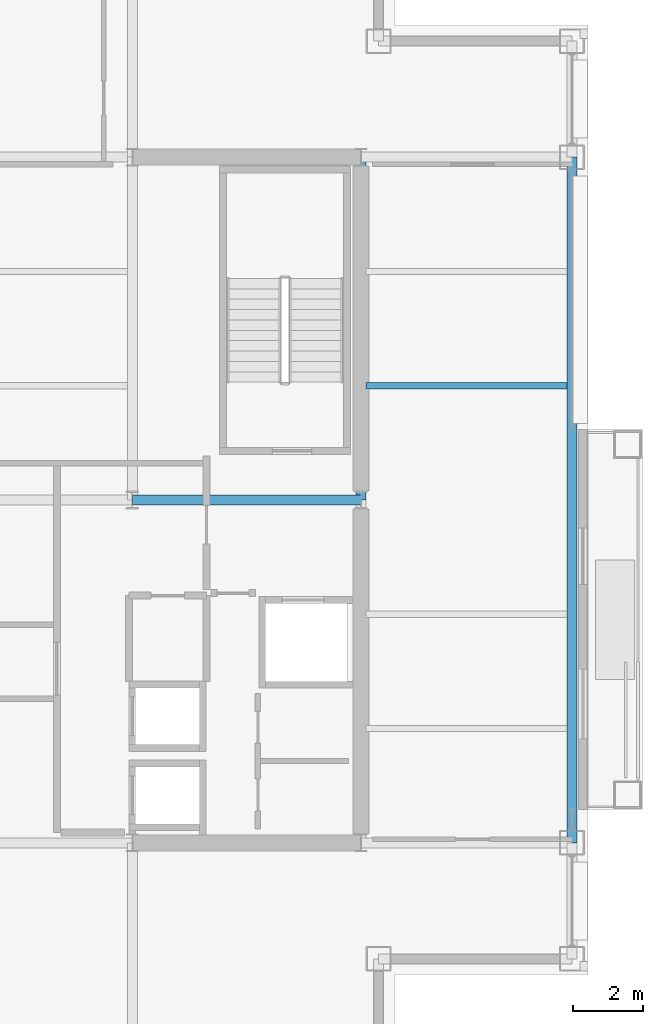
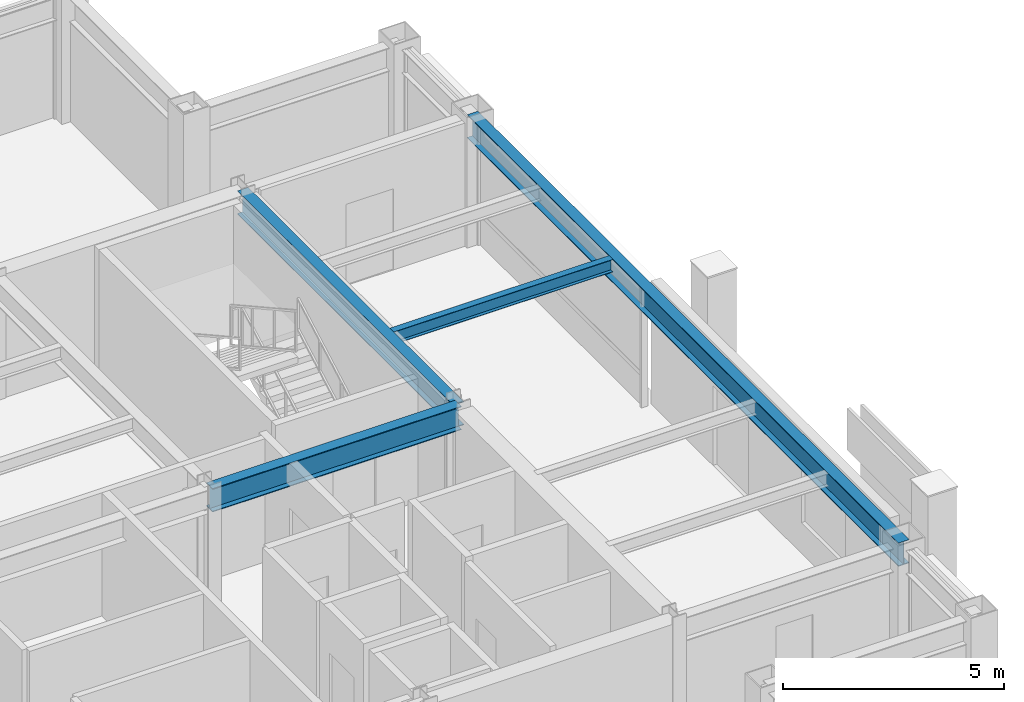
# One storey, part 15 of 30: 4 beams.
"""IFC4 building model written with IfcOpenShell, lengths in metres."""

from ifc_helpers import new_model, si_unit, direction, frame, origin, origin_2d, place, context, subcontext, project, spatial, i_section, extrude, material, material_profile, profile_set, type_object, element, save


model = new_model("IFC4")

# Units and contexts
model_context = context("Model", 3, precision=1e-05, world=origin(), true_north=direction((0.0, 1.0)))
body_context = subcontext(model_context, "Body", "Model", "MODEL_VIEW")
ifc_project = project(units=[si_unit("LENGTHUNIT", "METRE"), si_unit("AREAUNIT", "SQUARE_METRE"), si_unit("VOLUMEUNIT", "CUBIC_METRE"), si_unit("PLANEANGLEUNIT", "RADIAN"), si_unit("MASSUNIT", "GRAM", prefix="KILO")], contexts=[model_context])

# Site, building, storey
site_placement = place(None, origin())
site = spatial("IfcSite", under=ifc_project, at=site_placement, CompositionType="ELEMENT")
building_placement = place(site_placement, origin())
building = spatial("IfcBuilding", under=site, at=building_placement, Name="Brelmoor Portico Tower", CompositionType="ELEMENT")
storey_placement = place(building_placement, frame((0.0, 0.0, 187.5)))
storey = spatial("IfcBuildingStorey", under=building, at=storey_placement, Name="L49", CompositionType="ELEMENT", Elevation=187.5)

# Beams
ifc_material = material(Name="Steel Q355B", Category="steel")
ifc_material_profile_1 = material_profile(ifc_material, i_section(OverallWidth=0.175048828125, OverallDepth=0.35009765625, WebThickness=0.007080078125, FlangeThickness=0.010986328125, at=origin_2d()), Name="HN 350x175x7x11")
ifc_profile_set_1 = profile_set([ifc_material_profile_1], Name="Steel Q355B")
beam_type_1 = type_object("IfcBeamType", Name="BM-JS-350", PredefinedType="JOIST", material=ifc_profile_set_1)
beam_1_placement = place(storey_placement, frame((14.68994140625, 3.25, 3.22509765625), z_axis=(1.0, 0.0, 0.0), x_axis=(0.0, 1.0, 0.0)))
element("IfcBeam", 1, at=beam_1_placement, inside=storey, type_object=beam_type_1, Name="L49 Secondary Wing Joist JS-E11", PredefinedType="JOIST", context=body_context, shape_type="SweptSolid", body=[
    extrude(i_section(OverallWidth=0.175048828125, OverallDepth=0.35009765625, WebThickness=0.007080078125, FlangeThickness=0.010986328125, at=origin_2d()), origin(), (0.0, 0.0, 1.0), 5.719970703125),
])
ifc_material_profile_2 = material_profile(ifc_material, i_section(OverallWidth=0.280029296875, OverallDepth=0.64990234375, WebThickness=0.012939453125, FlangeThickness=0.02197265625, at=origin_2d()), Name="HN 650x280x13x22")
ifc_profile_set_2 = profile_set([ifc_material_profile_2], Name="Steel Q355B")
beam_type_2 = type_object("IfcBeamType", Name="BM-PG-650", PredefinedType="BEAM", material=ifc_profile_set_2)
beam_2_placement = place(storey_placement, frame((14.550048828125, 0.0, 3.074951171875), z_axis=(0.0, 1.0, 0.0), x_axis=(-1.0, 0.0, 0.0)))
element("IfcBeam", 2, at=beam_2_placement, inside=storey, type_object=beam_type_2, Name="L49 Primary Floor Girder PG-10", PredefinedType="BEAM", context=body_context, shape_type="SweptSolid", body=[
    extrude(i_section(OverallWidth=0.280029296875, OverallDepth=0.64990234375, WebThickness=0.012939453125, FlangeThickness=0.02197265625, at=origin_2d()), origin(), (0.0, 0.0, 1.0), 9.75),
])
beam_3_placement = place(storey_placement, frame((8.050048828125, 0.0, 3.074951171875), z_axis=(1.0, 0.0, 0.0), x_axis=(0.0, 1.0, 0.0)))
element("IfcBeam", 3, at=beam_3_placement, inside=storey, type_object=beam_type_2, Name="L49 Primary Floor Girder PG-18", PredefinedType="BEAM", context=body_context, shape_type="SweptSolid", body=[
    extrude(i_section(OverallWidth=0.280029296875, OverallDepth=0.64990234375, WebThickness=0.012939453125, FlangeThickness=0.02197265625, at=origin_2d()), origin(), (0.0, 0.0, 1.0), 6.5),
])
ifc_material_profile_3 = material_profile(ifc_material, i_section(OverallWidth=0.280029296875, OverallDepth=0.64990234375, WebThickness=0.012939453125, FlangeThickness=0.02197265625, at=origin_2d()), Name="HN 650x280x13x22")
ifc_profile_set_3 = profile_set([ifc_material_profile_3], Name="Steel Q355B")
beam_type_3 = type_object("IfcBeamType", Name="BM-SP-650", PredefinedType="SPANDREL", material=ifc_profile_set_3)
beam_4_placement = place(storey_placement, frame((20.550048828125, -9.75, 3.074951171875), z_axis=(0.0, 1.0, 0.0), x_axis=(-1.0, 0.0, 0.0)))
element("IfcBeam", 4, at=beam_4_placement, inside=storey, type_object=beam_type_3, Name="L49 Perimeter Spandrel Beam SP-19", PredefinedType="SPANDREL", context=body_context, shape_type="SweptSolid", body=[
    extrude(i_section(OverallWidth=0.280029296875, OverallDepth=0.64990234375, WebThickness=0.012939453125, FlangeThickness=0.02197265625, at=origin_2d()), origin(), (0.0, 0.0, 1.0), 19.5),
])

save(model, "model.ifc")
